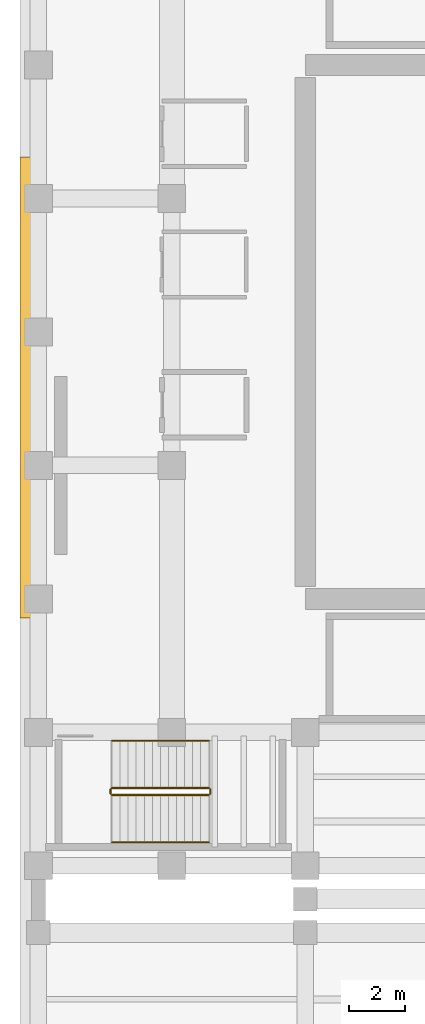
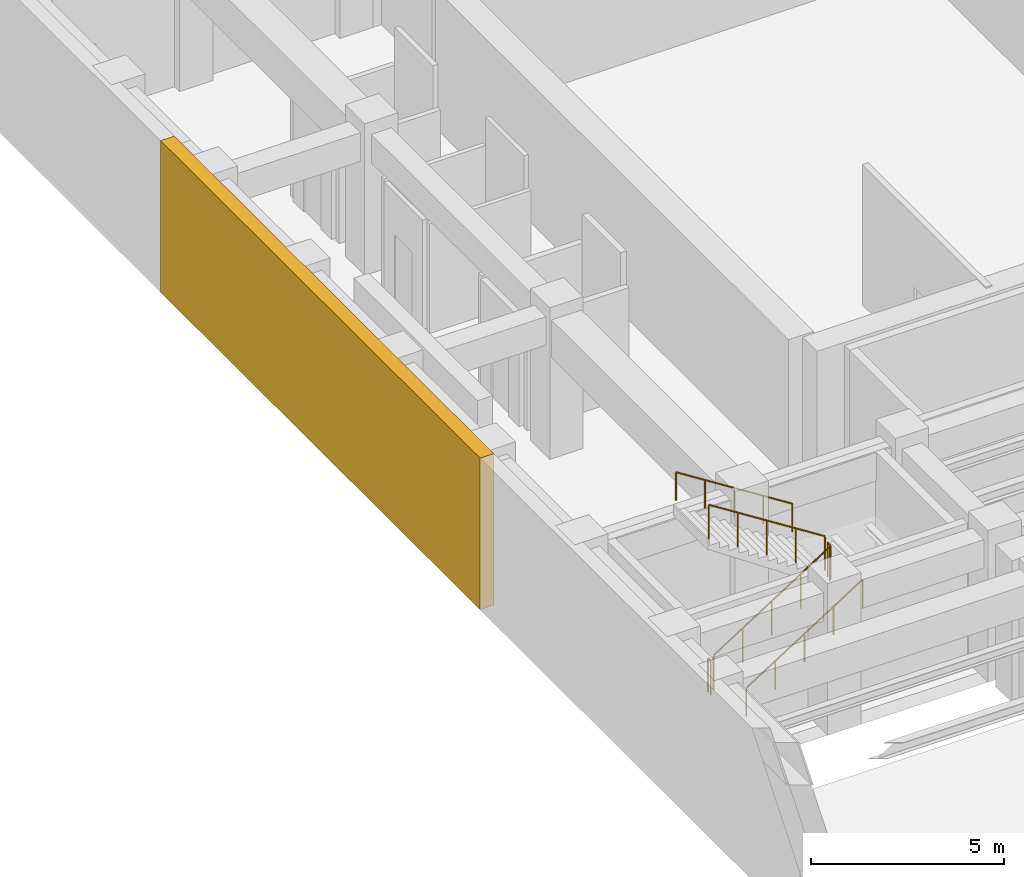
# One storey, part 34 of 45: 6 railings, 1 covering.
"""IFC4 building model written with IfcOpenShell, lengths in metres."""

from ifc_helpers import new_model, si_unit, direction, frame, origin, origin_2d, place, context, subcontext, project, spatial, polyline, circle, outline, extrude, material, layer, layer_set, type_object, element, save


model = new_model("IFC4")

# Units and contexts
model_context = context("Model", 3, precision=1e-05, world=origin(), true_north=direction((0.0, 1.0)))
body_context = subcontext(model_context, "Body", "Model", "MODEL_VIEW")
ifc_project = project(units=[si_unit("LENGTHUNIT", "METRE"), si_unit("AREAUNIT", "SQUARE_METRE"), si_unit("VOLUMEUNIT", "CUBIC_METRE"), si_unit("PLANEANGLEUNIT", "RADIAN"), si_unit("MASSUNIT", "GRAM", prefix="KILO")], contexts=[model_context])

# Site, building, storey
site_placement = place(None, origin())
site = spatial("IfcSite", under=ifc_project, at=site_placement, CompositionType="ELEMENT")
building_placement = place(site_placement, origin())
building = spatial("IfcBuilding", under=site, at=building_placement, Name="Mavantir Sound Aquarium", CompositionType="ELEMENT")
storey_placement = place(building_placement, frame((0.0, 0.0, -4.800048828125)))
storey = spatial("IfcBuildingStorey", under=building, at=storey_placement, Name="B1", CompositionType="ELEMENT", Elevation=-4.800048828125)

# Covering
ifc_material_1 = material(Name="Honed Coral-Limestone & Glazed Terracotta Rainscreen Cladding", Category="masonry")
ifc_layer = layer(ifc_material_1, 0.06005859375, Name="Honed Coral-Limestone & Glazed Terracotta Rainscreen Cladding")
ifc_layer_set = layer_set([ifc_layer], Name="Honed Coral-Limestone & Glazed Terracotta Rainscreen Cladding")
covering_type = type_object("IfcCoveringType", Name="COV-CLAD-TC", PredefinedType="CLADDING", material=ifc_layer_set)
covering_placement = place(storey_placement, origin())
element("IfcCovering", 1, at=covering_placement, inside=storey, type_object=covering_type, Name="B1 rusticated coral-stone plinth cladding 39", PredefinedType="CLADDING", context=body_context, shape_type="SweptSolid", body=[
    extrude(outline(polyline([(-0.25, 66.28564453125), (-0.25, 49.71435546875), (-0.659912109375, 49.71435546875), (-0.659912109375, 66.28564453125), (-0.25, 66.28564453125)])), origin(), (0.0, 0.0, 1.0), 4.800048828125),
])

# Railings
ifc_material_2 = material(Name="Stainless Steel 316 and Laminated Glass Guardrail", Category="steel")
railing_type_1 = type_object("IfcRailingType", Name="RL-GUARD-110", PredefinedType="GUARDRAIL", material=ifc_material_2)
railing_1_placement = place(storey_placement, frame((2.64990234375, 43.35009765625, 0.1845703125)))
element("IfcRailing", 2, at=railing_1_placement, inside=storey, type_object=railing_type_1, Name="B1 ST1 stair guard 1", PredefinedType="GUARDRAIL", context=body_context, shape_type="SweptSolid", body=[
    extrude(circle(Radius=0.02392578125, at=origin_2d()), frame((0.0, 0.0, 1.076171875), z_axis=(0.843546938479, 0.0, 0.53705545578), x_axis=(0.0, 1.0, 0.0)), (0.0, 0.0, 1.0), 4.12548828125),
    extrude(circle(Radius=0.02099609375, at=origin_2d()), origin(), (0.0, 0.0, 1.0), 1.052001953125),
    extrude(circle(Radius=0.02099609375, at=origin_2d()), frame((0.8701171875, 0.0, 0.553955078125)), (0.0, 0.0, 1.0), 1.052001953125),
    extrude(circle(Radius=0.02099609375, at=origin_2d()), frame((1.739990234375, 0.0, 1.10791015625)), (0.0, 0.0, 1.0), 1.052001953125),
    extrude(circle(Radius=0.02099609375, at=origin_2d()), frame((2.60986328125, 0.0, 1.66162109375)), (0.0, 0.0, 1.0), 1.052001953125),
    extrude(circle(Radius=0.02099609375, at=origin_2d()), frame((3.47998046875, 0.0, 2.215576171875)), (0.0, 0.0, 1.0), 1.052001953125),
])
railing_2_placement = place(storey_placement, frame((6.179931640625, 43.39990234375, 2.400146484375)))
element("IfcRailing", 3, at=railing_2_placement, inside=storey, type_object=railing_type_1, Name="B1 ST1 stair guard 2", PredefinedType="GUARDRAIL", context=body_context, shape_type="SweptSolid", body=[
    extrude(circle(Radius=0.02392578125, at=origin_2d()), frame((0.0, 0.0, 1.076171875), z_axis=(0.0, 1.0, 0.0), x_axis=(-1.0, 0.0, 0.0)), (0.0, 0.0, 1.0), 0.150146484375),
    extrude(circle(Radius=0.02099609375, at=origin_2d()), origin(), (0.0, 0.0, 1.0), 1.052001953125),
    extrude(circle(Radius=0.02099609375, at=origin_2d()), frame((0.0, 0.150146484375, 0.0)), (0.0, 0.0, 1.0), 1.052001953125),
])
railing_3_placement = place(storey_placement, frame((6.1298828125, 43.60009765625, 2.584716796875)))
element("IfcRailing", 4, at=railing_3_placement, inside=storey, type_object=railing_type_1, Name="B1 ST1 stair guard 3", PredefinedType="GUARDRAIL", context=body_context, shape_type="SweptSolid", body=[
    extrude(circle(Radius=0.02392578125, at=origin_2d()), frame((0.0, 0.0, 1.076171875), z_axis=(-0.843573748531, 0.0, 0.537013343214), x_axis=(0.0, -1.0, 0.0)), (0.0, 0.0, 1.0), 4.125244140625),
    extrude(circle(Radius=0.02099609375, at=origin_2d()), origin(), (0.0, 0.0, 1.0), 1.052001953125),
    extrude(circle(Radius=0.02099609375, at=origin_2d()), frame((-0.8701171875, 0.0, 0.5537109375)), (0.0, 0.0, 1.0), 1.052001953125),
    extrude(circle(Radius=0.02099609375, at=origin_2d()), frame((-1.739990234375, 0.0, 1.107666015625)), (0.0, 0.0, 1.0), 1.052001953125),
    extrude(circle(Radius=0.02099609375, at=origin_2d()), frame((-2.60986328125, 0.0, 1.66162109375)), (0.0, 0.0, 1.0), 1.052001953125),
    extrude(circle(Radius=0.02099609375, at=origin_2d()), frame((-3.47998046875, 0.0, 2.21533203125)), (0.0, 0.0, 1.0), 1.052001953125),
])
railing_4_placement = place(storey_placement, frame((2.60009765625, 43.39990234375, 0.0)))
element("IfcRailing", 5, at=railing_4_placement, inside=storey, type_object=railing_type_1, Name="B1 ST1 stair guard 4", PredefinedType="GUARDRAIL", context=body_context, shape_type="SweptSolid", body=[
    extrude(circle(Radius=0.02392578125, at=origin_2d()), frame((0.0, 0.0, 1.076171875), z_axis=(0.0, 1.0, 0.0), x_axis=(-1.0, 0.0, 0.0)), (0.0, 0.0, 1.0), 0.150146484375),
    extrude(circle(Radius=0.02099609375, at=origin_2d()), origin(), (0.0, 0.0, 1.0), 1.052001953125),
    extrude(circle(Radius=0.02099609375, at=origin_2d()), frame((0.0, 0.150146484375, 0.0)), (0.0, 0.0, 1.0), 1.052001953125),
])
ifc_material_3 = material(Name="Brushed Stainless Steel 316 Handrail", Category="steel")
railing_type_2 = type_object("IfcRailingType", Name="RL-HR-90", PredefinedType="HANDRAIL", material=ifc_material_3)
railing_5_placement = place(storey_placement, frame((2.64990234375, 41.64990234375, 0.36962890625)))
element("IfcRailing", 6, at=railing_5_placement, inside=storey, type_object=railing_type_2, Name="B1 ST1 stair handrail 1", PredefinedType="HANDRAIL", context=body_context, shape_type="SweptSolid", body=[
    extrude(circle(Radius=0.02392578125, at=origin_2d()), frame((0.0, 0.0, 0.89111328125), z_axis=(0.843573748531, 0.0, 0.537013343214), x_axis=(0.0, 1.0, 0.0)), (0.0, 0.0, 1.0), 4.125244140625),
    extrude(circle(Radius=0.02099609375, at=origin_2d()), origin(), (0.0, 0.0, 1.0), 0.866943359375),
    extrude(circle(Radius=0.02099609375, at=origin_2d()), frame((0.8701171875, 0.0, 0.5537109375)), (0.0, 0.0, 1.0), 0.866943359375),
    extrude(circle(Radius=0.02099609375, at=origin_2d()), frame((1.739990234375, 0.0, 1.107666015625)), (0.0, 0.0, 1.0), 0.866943359375),
    extrude(circle(Radius=0.02099609375, at=origin_2d()), frame((2.60986328125, 0.0, 1.66162109375)), (0.0, 0.0, 1.0), 0.866943359375),
    extrude(circle(Radius=0.02099609375, at=origin_2d()), frame((3.47998046875, 0.0, 2.21533203125)), (0.0, 0.0, 1.0), 0.866943359375),
])
railing_6_placement = place(storey_placement, frame((6.1298828125, 45.300048828125, 2.769775390625)))
element("IfcRailing", 7, at=railing_6_placement, inside=storey, type_object=railing_type_2, Name="B1 ST1 stair handrail 2", PredefinedType="HANDRAIL", context=body_context, shape_type="SweptSolid", body=[
    extrude(circle(Radius=0.02392578125, at=origin_2d()), frame((0.0, 0.0, 0.89111328125), z_axis=(-0.843573748531, 0.0, 0.537013343214), x_axis=(0.0, -1.0, 0.0)), (0.0, 0.0, 1.0), 4.125244140625),
    extrude(circle(Radius=0.02099609375, at=origin_2d()), origin(), (0.0, 0.0, 1.0), 0.866943359375),
    extrude(circle(Radius=0.02099609375, at=origin_2d()), frame((-0.8701171875, 0.0, 0.5537109375)), (0.0, 0.0, 1.0), 0.866943359375),
    extrude(circle(Radius=0.02099609375, at=origin_2d()), frame((-1.739990234375, 0.0, 1.107666015625)), (0.0, 0.0, 1.0), 0.866943359375),
    extrude(circle(Radius=0.02099609375, at=origin_2d()), frame((-2.60986328125, 0.0, 1.66162109375)), (0.0, 0.0, 1.0), 0.866943359375),
    extrude(circle(Radius=0.02099609375, at=origin_2d()), frame((-3.47998046875, 0.0, 2.21533203125)), (0.0, 0.0, 1.0), 0.866943359375),
])

save(model, "model.ifc")
